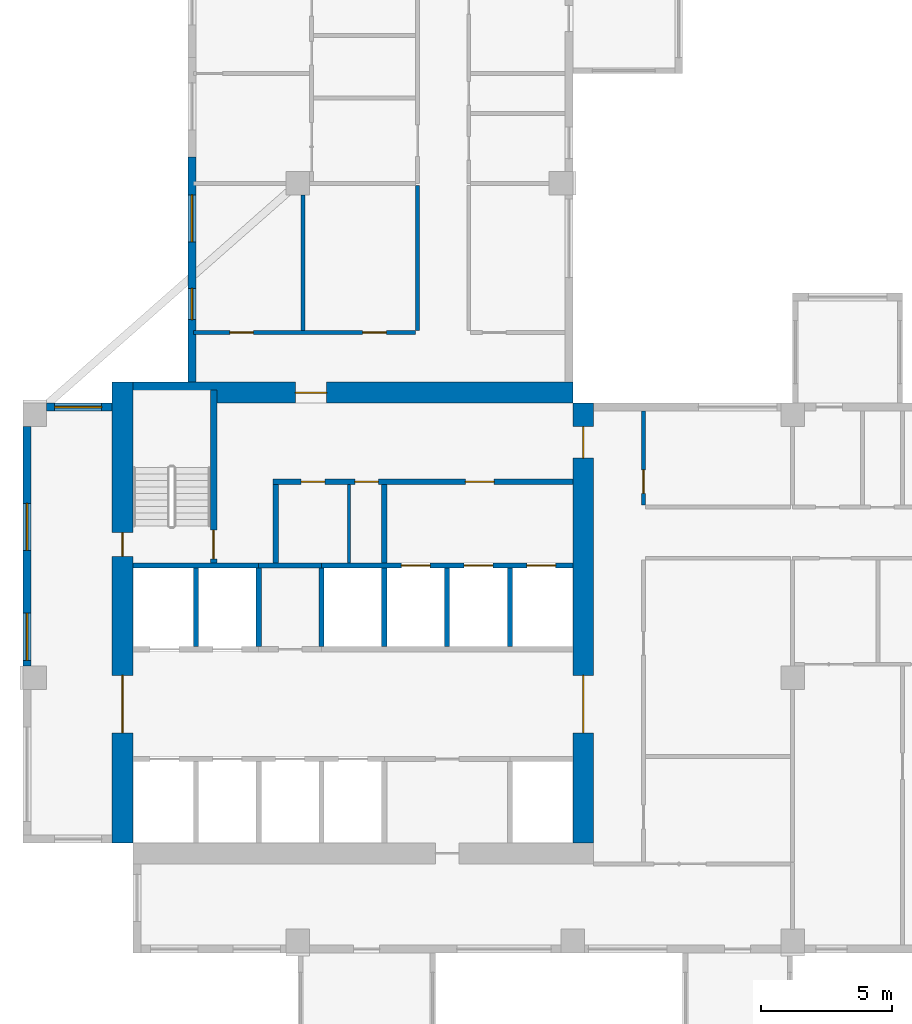
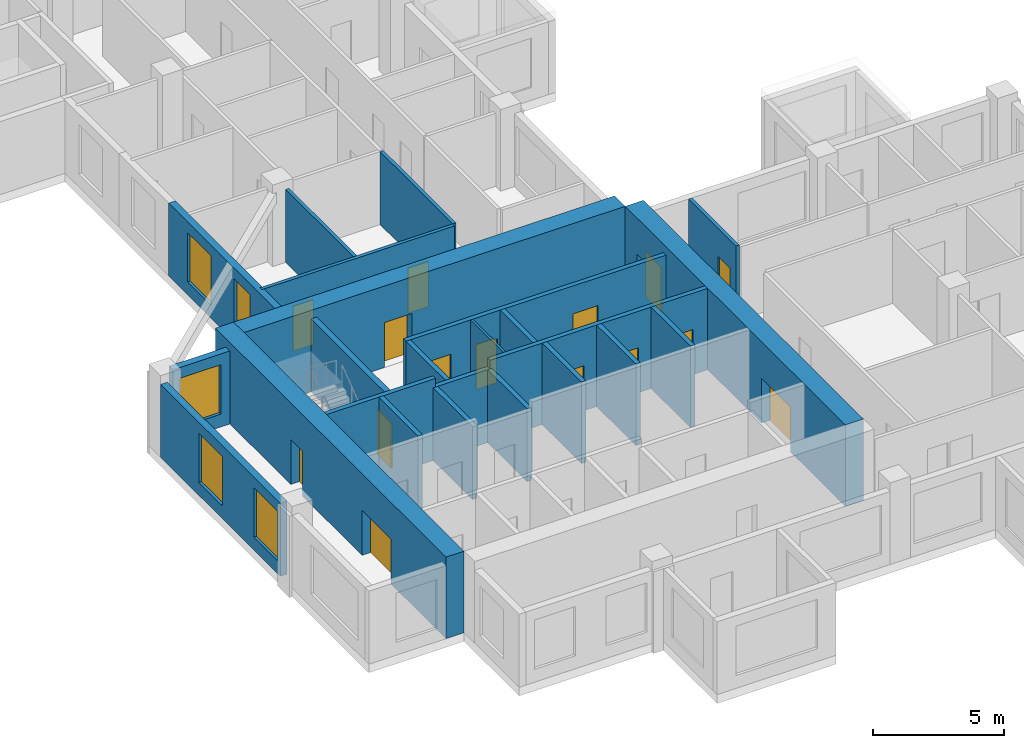
# One storey, part 3 of 12: 24 walls, 15 doors, 5 windows, 20 openings.
"""IFC4 building model written with IfcOpenShell, lengths in metres."""

import ifcopenshell
import ifcopenshell.guid

model = None  # the IFC model being written
_history = None  # IfcOwnerHistory: only IFC2X3 demands one
_inside = {}  # id of a spatial element -> (the spatial element, [elements in it])
_under = {}  # id of a project, library or spatial element -> (it, [spatial elements below it])
_declared = {}  # id of a project -> (the project, [libraries it declares])
_typed = {}  # id of a type object -> (the type object, [elements of that type])
_made_of = {}  # id of a material, layer set ... -> (it, [elements and type objects made of it])


def new_model(schema):
    """Start an empty IFC model of exactly this schema.

    Asked for "IFC4X3", IfcOpenShell would pick the latest addendum, in which some entities
    have other attributes; the version numbers below select the first issue.
    IFC2X3 requires an IfcOwnerHistory on every rooted entity: one is made here for all.
    """
    global model, _history
    if schema == "IFC4X3":
        model = ifcopenshell.file(schema_version=(4, 3, 0, 0))
    else:
        model = ifcopenshell.file(schema=schema)
    _inside.clear()
    _under.clear()
    _declared.clear()
    _typed.clear()
    _made_of.clear()
    _history = None
    if model.schema == "IFC2X3":
        org = make("IfcOrganization", Name="unknown")
        user = make(
            "IfcPersonAndOrganization",
            ThePerson=make("IfcPerson", FamilyName="unknown"),
            TheOrganization=org,
        )
        app = make(
            "IfcApplication",
            ApplicationDeveloper=org,
            Version="unknown",
            ApplicationFullName="unknown",
            ApplicationIdentifier="unknown",
        )
        _history = make(
            "IfcOwnerHistory",
            OwningUser=user,
            OwningApplication=app,
            ChangeAction="ADDED",
            CreationDate=0,
        )
    return model


def make(cls, **values):
    """One entity of the class cls with the attributes given. An attribute that is None is left unset."""
    return model.create_entity(
        cls, **{name: value for name, value in values.items() if value is not None}
    )


def rooted(cls, **values):
    """An entity with a GlobalId (a new one), such as an element, a storey or a relation."""
    return make(cls, GlobalId=ifcopenshell.guid.new(), OwnerHistory=_history, **values)


def si_unit(unit_type, name, prefix=None):
    """IfcSIUnit, for example si_unit("LENGTHUNIT", "METRE", prefix="MILLI")."""
    return make("IfcSIUnit", UnitType=unit_type, Prefix=prefix, Name=name)


def assignment(units):
    """IfcUnitAssignment: the units of a project."""
    return None if units is None else make("IfcUnitAssignment", Units=units)


def point(xyz):
    """IfcCartesianPoint."""
    return None if xyz is None else make("IfcCartesianPoint", Coordinates=xyz)


def direction(xyz):
    """IfcDirection."""
    return None if xyz is None else make("IfcDirection", DirectionRatios=xyz)


def frame(location, z_axis=None, x_axis=None):
    """IfcAxis2Placement3D, a coordinate frame: its origin and axes. An axis left out is left unset."""
    return make(
        "IfcAxis2Placement3D",
        Location=point(location),
        Axis=direction(z_axis),
        RefDirection=direction(x_axis),
    )


def frame_2d(location, x_axis=None):
    """IfcAxis2Placement2D, a coordinate frame in the plane: its origin and x axis."""
    return make(
        "IfcAxis2Placement2D", Location=point(location), RefDirection=direction(x_axis)
    )


def origin():
    """The frame at (0, 0, 0) with its axes left unset."""
    return frame((0.0, 0.0, 0.0))


def place(relative_to, where):
    """IfcLocalPlacement: puts the frame where relative to a parent placement (None: the world)."""
    return make(
        "IfcLocalPlacement", PlacementRelTo=relative_to, RelativePlacement=where
    )


def context(
    kind, dimensions, precision=None, world=None, true_north=None, identifier=None
):
    """IfcGeometricRepresentationContext, for example the 3D "Model" context."""
    return make(
        "IfcGeometricRepresentationContext",
        ContextIdentifier=identifier,
        ContextType=kind,
        CoordinateSpaceDimension=dimensions,
        Precision=precision,
        WorldCoordinateSystem=world,
        TrueNorth=true_north,
    )


def subcontext(parent, identifier, kind, view, scale=None):
    """IfcGeometricRepresentationSubContext, for example "Body" below "Model"."""
    return make(
        "IfcGeometricRepresentationSubContext",
        ContextIdentifier=identifier,
        ContextType=kind,
        ParentContext=parent,
        TargetScale=scale,
        TargetView=view,
    )


def project(units=None, contexts=None):
    """IfcProject with its units and contexts."""
    return rooted(
        "IfcProject",
        Name="project",
        RepresentationContexts=contexts,
        UnitsInContext=assignment(units),
    )


def spatial(cls, under=None, at=None, **own):
    """A site, building, storey or space (cls), placed at a placement, below another one or the project."""
    s = rooted(cls, ObjectPlacement=at, **own)
    if under is not None:
        _under.setdefault(under.id(), (under, []))[1].append(s)
    return s


def profile(cls, at=None, kind="AREA", **sizes):
    """A parametric profile (cls). Its sizes go by their IFC names, for example OverallWidth=200.0."""
    return make(cls, ProfileType=kind, Position=at, **sizes)


def rectangle(**sizes):
    """IfcRectangleProfileDef."""
    return profile("IfcRectangleProfileDef", **sizes)


def extrude(swept, where, along, depth):
    """IfcExtrudedAreaSolid: the profile swept, set in the frame where, extruded along a direction by depth."""
    return make(
        "IfcExtrudedAreaSolid",
        SweptArea=swept,
        Position=where,
        ExtrudedDirection=direction(along),
        Depth=depth,
    )


def shape(context_of_items, identifier, shape_type, items):
    """IfcShapeRepresentation: the items that make up one representation, for example the "Body"."""
    return make(
        "IfcShapeRepresentation",
        ContextOfItems=context_of_items,
        RepresentationIdentifier=identifier,
        RepresentationType=shape_type,
        Items=items,
    )


def source(mapping_origin, context_of_items, identifier, shape_type, items):
    """IfcRepresentationMap: a shape defined once, which mapped items show again and again."""
    return make(
        "IfcRepresentationMap",
        MappingOrigin=mapping_origin,
        MappedRepresentation=shape(context_of_items, identifier, shape_type, items),
    )


def transform(
    local_origin,
    x_axis=None,
    y_axis=None,
    z_axis=None,
    scale=None,
    scale2=None,
    scale3=None,
    uniform=True,
):
    """IfcCartesianTransformationOperator3D, or its non-uniform kind. x_axis, y_axis, z_axis: its Axis1, 2, 3."""
    if uniform:
        return make(
            "IfcCartesianTransformationOperator3D",
            Axis1=direction(x_axis),
            Axis2=direction(y_axis),
            LocalOrigin=point(local_origin),
            Scale=scale,
            Axis3=direction(z_axis),
        )
    return make(
        "IfcCartesianTransformationOperator3DnonUniform",
        Axis1=direction(x_axis),
        Axis2=direction(y_axis),
        LocalOrigin=point(local_origin),
        Scale=scale,
        Axis3=direction(z_axis),
        Scale2=scale2,
        Scale3=scale3,
    )


def mapped(mapping_source, mapping_target):
    """IfcMappedItem: shows the shape of a source again, moved by a transform."""
    return make(
        "IfcMappedItem", MappingSource=mapping_source, MappingTarget=mapping_target
    )


def material(Name=None, Category=None):
    """IfcMaterial."""
    return make("IfcMaterial", Name=Name, Category=Category)


def layer(
    of_material, thickness, ventilated=None, Name=None, Category=None, Priority=None
):
    """IfcMaterialLayer: one layer of a wall or slab, of a material (None: an air gap)."""
    return make(
        "IfcMaterialLayer",
        Material=of_material,
        LayerThickness=thickness,
        IsVentilated=ventilated,
        Name=Name,
        Category=Category,
        Priority=Priority,
    )


def layer_set(layers, Name=None):
    """IfcMaterialLayerSet."""
    return make("IfcMaterialLayerSet", MaterialLayers=layers, LayerSetName=Name)


def made_of(thing, what):
    """Note that an element or type object is made of a material, layer set ...; save() writes the relation."""
    if what is not None:
        _made_of.setdefault(what.id(), (what, []))[1].append(thing)
    return thing


def type_object(cls, material=None, **own):
    """A type object (cls), such as IfcWallType, which elements share."""
    return made_of(rooted(cls, **own), material)


def element(
    cls,
    number,
    at=None,
    inside=None,
    cuts=None,
    type_object=None,
    material=None,
    context=None,
    identifier="Body",
    shape_type=None,
    held_by="IfcProductDefinitionShape",
    body=None,
    shapes=None,
    **own,
):
    """One element of the class cls, such as IfcWall. Its Tag is "e" and its number.

    at: its placement. inside: the storey or other place that contains it. cuts: it is an
    opening in that element (IfcRelVoidsElement). A single representation is given by context,
    identifier, shape_type and body (its items); several are given by shapes. held_by: the class
    of the entity that holds the representations. save() writes the other relations.
    """
    e = rooted(cls, Tag="e%d" % number, ObjectPlacement=at, **own)
    if body is not None:
        shapes = [shape(context, identifier, shape_type, body)]
    if shapes is not None:
        e.Representation = make(held_by, Representations=shapes)
    if inside is not None:
        _inside.setdefault(inside.id(), (inside, []))[1].append(e)
    if cuts is not None:
        rooted(
            "IfcRelVoidsElement", RelatingBuildingElement=cuts, RelatedOpeningElement=e
        )
    if type_object is not None:
        _typed.setdefault(type_object.id(), (type_object, []))[1].append(e)
    return made_of(e, material)


def fill(opening, filler):
    """IfcRelFillsElement: the door or window that sits in an opening."""
    return rooted(
        "IfcRelFillsElement",
        RelatingOpeningElement=opening,
        RelatedBuildingElement=filler,
    )


def aggregate(whole, parts):
    """IfcRelAggregates: a whole, such as a stair, and the parts it consists of."""
    return rooted("IfcRelAggregates", RelatingObject=whole, RelatedObjects=parts)


def save(model, path):
    """Write the relations noted so far, then the file.

    IfcRelAggregates (storeys below a building ...), IfcRelContainedInSpatialStructure (elements
    in a storey), IfcRelDefinesByType, IfcRelAssociatesMaterial and IfcRelDeclares: one each for
    every whole, place, type object, material and project.
    """
    for whole, parts in _under.values():
        aggregate(whole, parts)
    for where, things in _inside.values():
        rooted(
            "IfcRelContainedInSpatialStructure",
            RelatedElements=things,
            RelatingStructure=where,
        )
    for kind, things in _typed.values():
        rooted("IfcRelDefinesByType", RelatedObjects=things, RelatingType=kind)
    for what, things in _made_of.values():
        rooted("IfcRelAssociatesMaterial", RelatedObjects=things, RelatingMaterial=what)
    for by, libraries in _declared.values():
        rooted("IfcRelDeclares", RelatingContext=by, RelatedDefinitions=libraries)
    model.write(path)


model = new_model("IFC4")

# Units and contexts
model_context = context("Model", 3, precision=1e-05, world=origin(), true_north=direction((0.0, 1.0)))
body_context = subcontext(model_context, "Body", "Model", "MODEL_VIEW")
ifc_project = project(units=[si_unit("LENGTHUNIT", "METRE"), si_unit("AREAUNIT", "SQUARE_METRE"), si_unit("VOLUMEUNIT", "CUBIC_METRE"), si_unit("PLANEANGLEUNIT", "RADIAN"), si_unit("MASSUNIT", "GRAM", prefix="KILO")], contexts=[model_context])

# Site, building, storey
site_placement = place(None, origin())
site = spatial("IfcSite", under=ifc_project, at=site_placement, CompositionType="ELEMENT")
building_placement = place(site_placement, origin())
building = spatial("IfcBuilding", under=site, at=building_placement, Name="Aurelian Terraces", CompositionType="ELEMENT")
storey_placement = place(building_placement, frame((0.0, 0.0, 181.6)))
storey = spatial("IfcBuildingStorey", under=building, at=storey_placement, Name="L39", CompositionType="ELEMENT", Elevation=181.6)

# Wall, openings, windows
ifc_material_1 = material(Name="Terracotta rainscreen cladding", Category="masonry")
ifc_layer_1 = layer(ifc_material_1, 0.3)
ifc_layer_set_1 = layer_set([ifc_layer_1], Name="EW-300")
wall_type_1 = type_object("IfcWallType", Name="EW-300", PredefinedType="STANDARD", material=ifc_layer_set_1)
wall_1_placement = place(storey_placement, frame((6.45, 30.4, 0.0), z_axis=(0.0, 0.0, 1.0), x_axis=(0.0, -1.0, 0.0)))
wall_1 = element("IfcWall", 1, at=wall_1_placement, inside=storey, type_object=wall_type_1, Name="External wall L39 F16.30", PredefinedType="STANDARD", context=body_context, shape_type="SweptSolid", body=[
    extrude(rectangle(XDim=8.6, YDim=0.3, at=frame_2d((4.3, 0.0))), origin(), (0.0, 0.0, 1.0), 3.4),
])
shared_shape_1 = source(origin(), body_context, "Body", "SweptSolid", [
    extrude(rectangle(XDim=1.8, YDim=2.3, at=frame_2d((0.9, 1.15))), frame((0.0, 0.16, 0.0), z_axis=(0.0, -1.0, 0.0), x_axis=(1.0, 0.0, 0.0)), (0.0, 0.0, 1.0), 0.32),
])
opening_1_placement = place(wall_1_placement, frame((1.4375, 0.0, 0.6)))
opening_1 = element("IfcOpeningElement", 2, at=opening_1_placement, cuts=wall_1, Name="Opening W1823", PredefinedType="OPENING", context=body_context, shape_type="MappedRepresentation", body=[
    mapped(shared_shape_1, transform((0.0, 0.0, 0.0), scale=1.0)),
])
shared_shape_2 = source(origin(), body_context, "Body", "SweptSolid", [
    extrude(rectangle(XDim=1.2, YDim=2.3, at=frame_2d((0.6, 1.15))), frame((0.0, 0.16, 0.0), z_axis=(0.0, -1.0, 0.0), x_axis=(1.0, 0.0, 0.0)), (0.0, 0.0, 1.0), 0.32),
])
opening_2_placement = place(wall_1_placement, frame((5.0125, 0.0, 0.6)))
opening_2 = element("IfcOpeningElement", 3, at=opening_2_placement, cuts=wall_1, Name="Opening W1223", PredefinedType="OPENING", context=body_context, shape_type="MappedRepresentation", body=[
    mapped(shared_shape_2, transform((0.0, 0.0, 0.0), scale=1.0)),
])
ifc_material_2 = material(Name="Clear glazing", Category="glass")
window_type_1 = type_object("IfcWindowType", Name="W-1200x2300", PartitioningType="SINGLE_PANEL", PredefinedType="WINDOW", material=ifc_material_2)
shared_shape_3 = source(origin(), body_context, "Body", "SweptSolid", [
    extrude(rectangle(XDim=1.2, YDim=2.3, at=frame_2d((0.6, 1.15))), frame((0.0, 0.03, 0.0), z_axis=(0.0, -1.0, 0.0), x_axis=(1.0, 0.0, 0.0)), (0.0, 0.0, 1.0), 0.06),
])
window_1_placement = place(opening_2_placement, origin())
window_1 = element("IfcWindow", 4, at=window_1_placement, inside=storey, type_object=window_type_1, Name="Window L39 L39-F16-30-3", OverallHeight=2.3, OverallWidth=1.2, PartitioningType="SINGLE_PANEL", PredefinedType="WINDOW", context=body_context, shape_type="MappedRepresentation", body=[
    mapped(shared_shape_3, transform((0.0, 0.0, 0.0), scale=1.0)),
])
fill(opening_2, window_1)
window_type_2 = type_object("IfcWindowType", Name="W-1800x2300", PartitioningType="SINGLE_PANEL", PredefinedType="WINDOW", material=ifc_material_2)
shared_shape_4 = source(origin(), body_context, "Body", "SweptSolid", [
    extrude(rectangle(XDim=1.8, YDim=2.3, at=frame_2d((0.9, 1.15))), frame((0.0, 0.03, 0.0), z_axis=(0.0, -1.0, 0.0), x_axis=(1.0, 0.0, 0.0)), (0.0, 0.0, 1.0), 0.06),
])
window_2_placement = place(opening_1_placement, origin())
window_2 = element("IfcWindow", 5, at=window_2_placement, inside=storey, type_object=window_type_2, Name="Window L39 L39-F16-30-2", OverallHeight=2.3, OverallWidth=1.8, PartitioningType="SINGLE_PANEL", PredefinedType="WINDOW", context=body_context, shape_type="MappedRepresentation", body=[
    mapped(shared_shape_4, transform((0.0, 0.0, 0.0), scale=1.0)),
])
fill(opening_1, window_2)

# Wall, openings, doors
ifc_material_3 = material(Name="Concrete fc' 70 MPa", Category="concrete")
ifc_layer_2 = layer(ifc_material_3, 0.8)
ifc_layer_set_2 = layer_set([ifc_layer_2], Name="CORE WALL 800 FC70")
wall_type_2 = type_object("IfcWallType", Name="CORE WALL 800 FC70", PredefinedType="SHEAR", material=ifc_layer_set_2)
shared_shape_5 = source(origin(), body_context, "Body", "SweptSolid", [
    extrude(rectangle(XDim=17.6, YDim=0.8, at=frame_2d((8.8, 0.0))), origin(), (0.0, 0.0, 1.0), 3.8),
])
wall_2_placement = place(storey_placement, frame((3.8, 4.2, 0.0), z_axis=(0.0, 0.0, 1.0), x_axis=(0.0, 1.0, 0.0)))
wall_2 = element("IfcWall", 6, at=wall_2_placement, inside=storey, type_object=wall_type_2, Name="Core wall W L39", PredefinedType="SHEAR", context=body_context, shape_type="MappedRepresentation", body=[
    mapped(shared_shape_5, transform((0.0, 0.0, 0.0), scale=1.0)),
])
shared_shape_6 = source(origin(), body_context, "Body", "SweptSolid", [
    extrude(rectangle(XDim=2.2, YDim=2.1, at=frame_2d((1.1, 1.05))), frame((0.0, 0.41, 0.0), z_axis=(0.0, -1.0, 0.0), x_axis=(1.0, 0.0, 0.0)), (0.0, 0.0, 1.0), 0.82),
])
opening_3_placement = place(wall_2_placement, frame((4.2, 0.0, 0.0)))
opening_3 = element("IfcOpeningElement", 7, at=opening_3_placement, cuts=wall_2, Name="Opening 64222", PredefinedType="OPENING", context=body_context, shape_type="MappedRepresentation", body=[
    mapped(shared_shape_6, transform((0.0, 0.0, 0.0), scale=1.0)),
])
shared_shape_7 = source(origin(), body_context, "Body", "SweptSolid", [
    extrude(rectangle(XDim=0.9, YDim=2.1, at=frame_2d((0.45, 1.05))), frame((0.0, 0.41, 0.0), z_axis=(0.0, -1.0, 0.0), x_axis=(1.0, 0.0, 0.0)), (0.0, 0.0, 1.0), 0.82),
])
opening_4_placement = place(wall_2_placement, frame((10.95, 0.0, 0.0)))
opening_4 = element("IfcOpeningElement", 8, at=opening_4_placement, cuts=wall_2, Name="Opening 64226", PredefinedType="OPENING", context=body_context, shape_type="MappedRepresentation", body=[
    mapped(shared_shape_7, transform((0.0, 0.0, 0.0), scale=1.0)),
])
ifc_material_4 = material(Name="Steel door leaf", Category="steel")
door_type_1 = type_object("IfcDoorType", Name="Core service door 900x2100 right", OperationType="SINGLE_SWING_RIGHT", PredefinedType="DOOR", material=ifc_material_4)
shared_shape_8 = source(origin(), body_context, "Body", "SweptSolid", [
    extrude(rectangle(XDim=0.9, YDim=2.1, at=frame_2d((0.45, 1.05))), frame((0.0, 0.025, 0.0), z_axis=(0.0, -1.0, 0.0), x_axis=(1.0, 0.0, 0.0)), (0.0, 0.0, 1.0), 0.05),
])
door_1_placement = place(opening_4_placement, origin())
door_1 = element("IfcDoor", 9, at=door_1_placement, inside=storey, type_object=door_type_1, Name="Core door 64226", OperationType="SINGLE_SWING_RIGHT", OverallHeight=2.1, OverallWidth=0.9, PredefinedType="DOOR", context=body_context, shape_type="MappedRepresentation", body=[
    mapped(shared_shape_8, transform((0.0, 0.0, 0.0), scale=1.0)),
])
fill(opening_4, door_1)
door_type_2 = type_object("IfcDoorType", Name="Core double door 2200x2100", OperationType="DOUBLE_DOOR_SINGLE_SWING", PredefinedType="DOOR", material=ifc_material_4)
shared_shape_9 = source(origin(), body_context, "Body", "SweptSolid", [
    extrude(rectangle(XDim=2.2, YDim=2.1, at=frame_2d((1.1, 1.05))), frame((0.0, 0.025, 0.0), z_axis=(0.0, -1.0, 0.0), x_axis=(1.0, 0.0, 0.0)), (0.0, 0.0, 1.0), 0.05),
])
door_2_placement = place(opening_3_placement, origin())
door_2 = element("IfcDoor", 10, at=door_2_placement, inside=storey, type_object=door_type_2, Name="Core door 64222", OperationType="DOUBLE_DOOR_SINGLE_SWING", OverallHeight=2.1, OverallWidth=2.2, PredefinedType="DOOR", context=body_context, shape_type="MappedRepresentation", body=[
    mapped(shared_shape_9, transform((0.0, 0.0, 0.0), scale=1.0)),
])
fill(opening_3, door_2)

shared_shape_10 = source(origin(), body_context, "Body", "SweptSolid", [
    extrude(rectangle(XDim=16.8, YDim=0.8, at=frame_2d((8.4, 0.0))), origin(), (0.0, 0.0, 1.0), 3.8),
])
wall_3_placement = place(storey_placement, frame((21.4, 4.2, 0.0), z_axis=(0.0, 0.0, 1.0), x_axis=(0.0, 1.0, 0.0)))
wall_3 = element("IfcWall", 11, at=wall_3_placement, inside=storey, type_object=wall_type_2, Name="Core wall E L39", PredefinedType="SHEAR", context=body_context, shape_type="MappedRepresentation", body=[
    mapped(shared_shape_10, transform((0.0, 0.0, 0.0), scale=1.0)),
])
opening_5_placement = place(wall_3_placement, frame((4.2, 0.0, 0.0)))
opening_5 = element("IfcOpeningElement", 12, at=opening_5_placement, cuts=wall_3, Name="Opening 64221", PredefinedType="OPENING", context=body_context, shape_type="MappedRepresentation", body=[
    mapped(shared_shape_6, transform((0.0, 0.0, 0.0), scale=1.0)),
])
shared_shape_11 = source(origin(), body_context, "Body", "SweptSolid", [
    extrude(rectangle(XDim=1.2, YDim=2.1, at=frame_2d((0.6, 1.05))), frame((0.0, 0.41, 0.0), z_axis=(0.0, -1.0, 0.0), x_axis=(1.0, 0.0, 0.0)), (0.0, 0.0, 1.0), 0.82),
])
opening_6_placement = place(wall_3_placement, frame((14.7, 0.0, 0.0)))
opening_6 = element("IfcOpeningElement", 13, at=opening_6_placement, cuts=wall_3, Name="Opening 64224", PredefinedType="OPENING", context=body_context, shape_type="MappedRepresentation", body=[
    mapped(shared_shape_11, transform((0.0, 0.0, 0.0), scale=1.0)),
])
door_type_3 = type_object("IfcDoorType", Name="Core fire door 1200x2100 right", OperationType="SINGLE_SWING_RIGHT", PredefinedType="DOOR", material=ifc_material_4)
shared_shape_12 = source(origin(), body_context, "Body", "SweptSolid", [
    extrude(rectangle(XDim=1.2, YDim=2.1, at=frame_2d((0.6, 1.05))), frame((0.0, 0.025, 0.0), z_axis=(0.0, -1.0, 0.0), x_axis=(1.0, 0.0, 0.0)), (0.0, 0.0, 1.0), 0.05),
])
door_3_placement = place(opening_6_placement, origin())
door_3 = element("IfcDoor", 14, at=door_3_placement, inside=storey, type_object=door_type_3, Name="Core door 64224", OperationType="SINGLE_SWING_RIGHT", OverallHeight=2.1, OverallWidth=1.2, PredefinedType="DOOR", context=body_context, shape_type="MappedRepresentation", body=[
    mapped(shared_shape_12, transform((0.0, 0.0, 0.0), scale=1.0)),
])
fill(opening_6, door_3)
door_4_placement = place(opening_5_placement, origin())
door_4 = element("IfcDoor", 15, at=door_4_placement, inside=storey, type_object=door_type_2, Name="Core door 64221", OperationType="DOUBLE_DOOR_SINGLE_SWING", OverallHeight=2.1, OverallWidth=2.2, PredefinedType="DOOR", context=body_context, shape_type="MappedRepresentation", body=[
    mapped(shared_shape_9, transform((0.0, 0.0, 0.0), scale=1.0)),
])
fill(opening_5, door_4)

# Wall, opening, door
wall_4_placement = place(storey_placement, frame((4.2, 21.4, 0.0), z_axis=(0.0, 0.0, 1.0), x_axis=(1.0, 0.0, 0.0)))
wall_4 = element("IfcWall", 16, at=wall_4_placement, inside=storey, type_object=wall_type_2, Name="Core wall N L39", PredefinedType="SHEAR", context=body_context, shape_type="MappedRepresentation", body=[
    mapped(shared_shape_10, transform((0.0, 0.0, 0.0), scale=1.0)),
])
opening_7_placement = place(wall_4_placement, frame((6.2, 0.0, 0.0)))
opening_7 = element("IfcOpeningElement", 17, at=opening_7_placement, cuts=wall_4, Name="Opening 64223", PredefinedType="OPENING", context=body_context, shape_type="MappedRepresentation", body=[
    mapped(shared_shape_11, transform((0.0, 0.0, 0.0), scale=1.0)),
])
door_type_4 = type_object("IfcDoorType", Name="Core fire door 1200x2100", OperationType="SINGLE_SWING_LEFT", PredefinedType="DOOR", material=ifc_material_4)
door_5_placement = place(opening_7_placement, origin())
door_5 = element("IfcDoor", 18, at=door_5_placement, inside=storey, type_object=door_type_4, Name="Core door 64223", OperationType="SINGLE_SWING_LEFT", OverallHeight=2.1, OverallWidth=1.2, PredefinedType="DOOR", context=body_context, shape_type="MappedRepresentation", body=[
    mapped(shared_shape_12, transform((0.0, 0.0, 0.0), scale=1.0)),
])
fill(opening_7, door_5)

# Wall, opening, window
shared_shape_13 = source(origin(), body_context, "Body", "SweptSolid", [
    extrude(rectangle(XDim=2.5, YDim=0.3, at=frame_2d((1.25, 0.0))), origin(), (0.0, 0.0, 1.0), 3.4),
])
wall_5_placement = place(storey_placement, frame((3.4, 20.85, 0.0), z_axis=(0.0, 0.0, 1.0), x_axis=(-1.0, 0.0, 0.0)))
wall_5 = element("IfcWall", 19, at=wall_5_placement, inside=storey, type_object=wall_type_1, Name="External wall L39 F19.33", PredefinedType="STANDARD", context=body_context, shape_type="MappedRepresentation", body=[
    mapped(shared_shape_13, transform((0.0, 0.0, 0.0), scale=1.0)),
])
opening_8_placement = place(wall_5_placement, frame((0.4, 0.0, 0.6)))
opening_8 = element("IfcOpeningElement", 20, at=opening_8_placement, cuts=wall_5, Name="Opening W1823", PredefinedType="OPENING", context=body_context, shape_type="MappedRepresentation", body=[
    mapped(shared_shape_1, transform((0.0, 0.0, 0.0), scale=1.0)),
])
window_3_placement = place(opening_8_placement, origin())
window_3 = element("IfcWindow", 21, at=window_3_placement, inside=storey, type_object=window_type_2, Name="Window L39 L39-F19-33-0", OverallHeight=2.3, OverallWidth=1.8, PartitioningType="SINGLE_PANEL", PredefinedType="WINDOW", context=body_context, shape_type="MappedRepresentation", body=[
    mapped(shared_shape_4, transform((0.0, 0.0, 0.0), scale=1.0)),
])
fill(opening_8, window_3)

# Wall, openings, windows
shared_shape_14 = source(origin(), body_context, "Body", "SweptSolid", [
    extrude(rectangle(XDim=9.15, YDim=0.3, at=frame_2d((4.575, 0.0))), origin(), (0.0, 0.0, 1.0), 3.4),
])
wall_6_placement = place(storey_placement, frame((0.15, 20.1, 0.0), z_axis=(0.0, 0.0, 1.0), x_axis=(0.0, -1.0, 0.0)))
wall_6 = element("IfcWall", 22, at=wall_6_placement, inside=storey, type_object=wall_type_1, Name="External wall L39 F20.34", PredefinedType="STANDARD", context=body_context, shape_type="MappedRepresentation", body=[
    mapped(shared_shape_14, transform((0.0, 0.0, 0.0), scale=1.0)),
])
opening_9_placement = place(wall_6_placement, frame((2.925, 0.0, 0.6)))
opening_9 = element("IfcOpeningElement", 23, at=opening_9_placement, cuts=wall_6, Name="Opening W1823", PredefinedType="OPENING", context=body_context, shape_type="MappedRepresentation", body=[
    mapped(shared_shape_1, transform((0.0, 0.0, 0.0), scale=1.0)),
])
opening_10_placement = place(wall_6_placement, frame((7.125, 0.0, 0.6)))
opening_10 = element("IfcOpeningElement", 24, at=opening_10_placement, cuts=wall_6, Name="Opening W1823", PredefinedType="OPENING", context=body_context, shape_type="MappedRepresentation", body=[
    mapped(shared_shape_1, transform((0.0, 0.0, 0.0), scale=1.0)),
])
window_4_placement = place(opening_9_placement, origin())
window_4 = element("IfcWindow", 25, at=window_4_placement, inside=storey, type_object=window_type_2, Name="Window L39 L39-F20-34-1", OverallHeight=2.3, OverallWidth=1.8, PartitioningType="SINGLE_PANEL", PredefinedType="WINDOW", context=body_context, shape_type="MappedRepresentation", body=[
    mapped(shared_shape_4, transform((0.0, 0.0, 0.0), scale=1.0)),
])
fill(opening_9, window_4)
window_5_placement = place(opening_10_placement, origin())
window_5 = element("IfcWindow", 26, at=window_5_placement, inside=storey, type_object=window_type_2, Name="Window L39 L39-F20-34-2", OverallHeight=2.3, OverallWidth=1.8, PartitioningType="SINGLE_PANEL", PredefinedType="WINDOW", context=body_context, shape_type="MappedRepresentation", body=[
    mapped(shared_shape_4, transform((0.0, 0.0, 0.0), scale=1.0)),
])
fill(opening_10, window_5)

# Walls
ifc_material_5 = material(Name="Concrete fc' 40 MPa", Category="concrete")
ifc_layer_3 = layer(ifc_material_5, 0.2)
ifc_layer_set_3 = layer_set([ifc_layer_3], Name="Lift shaft wall 200")
wall_type_3 = type_object("IfcWallType", Name="Lift shaft wall 200", PredefinedType="SOLIDWALL", material=ifc_layer_set_3)
shared_shape_15 = source(origin(), body_context, "Body", "SweptSolid", [
    extrude(rectangle(XDim=3.0, YDim=0.2, at=frame_2d((1.5, 0.0))), origin(), (0.0, 0.0, 1.0), 3.4),
])
for number, where, z_axis, x_axis, name in (
    (27, (9.0, 11.7, 0.0), (0.0, 0.0, 1.0), (0.0, 1.0, 0.0), "L39 core wall CD-B2"),
    (28, (11.4, 11.7, 0.0), (0.0, 0.0, 1.0), (0.0, 1.0, 0.0), "L39 core wall CD-B3"),
):
    element("IfcWall", number, at=place(storey_placement, frame(where, z_axis=z_axis, x_axis=x_axis)), inside=storey, type_object=wall_type_3, Name=name, PredefinedType="SOLIDWALL", context=body_context, shape_type="MappedRepresentation", body=[
        mapped(shared_shape_15, transform((0.0, 0.0, 0.0), scale=1.0)),
    ])
shared_shape_16 = source(origin(), body_context, "Body", "SweptSolid", [
    extrude(rectangle(XDim=3.0, YDim=0.2, at=frame_2d((1.5, 0.0))), origin(), (0.0, 0.0, 1.0), 3.8),
])
for number, where, z_axis, x_axis, name in (
    (29, (6.6, 11.7, 0.0), (0.0, 0.0, 1.0), (0.0, 1.0, 0.0), "L39 core wall CD-B1"),
    (30, (13.8, 11.7, 0.0), (0.0, 0.0, 1.0), (0.0, 1.0, 0.0), "L39 core wall CD-B4"),
    (31, (16.2, 11.7, 0.0), (0.0, 0.0, 1.0), (0.0, 1.0, 0.0), "L39 core wall CD-B5"),
    (32, (18.6, 11.7, 0.0), (0.0, 0.0, 1.0), (0.0, 1.0, 0.0), "L39 core wall CD-B6"),
):
    element("IfcWall", number, at=place(storey_placement, frame(where, z_axis=z_axis, x_axis=x_axis)), inside=storey, type_object=wall_type_3, Name=name, PredefinedType="SOLIDWALL", context=body_context, shape_type="MappedRepresentation", body=[
        mapped(shared_shape_16, transform((0.0, 0.0, 0.0), scale=1.0)),
    ])

# Wall, openings, doors
shared_shape_17 = source(origin(), body_context, "Body", "SweptSolid", [
    extrude(rectangle(XDim=9.6, YDim=0.2, at=frame_2d((4.8, 0.0))), origin(), (0.0, 0.0, 1.0), 3.8),
])
wall_7_placement = place(storey_placement, frame((11.4, 14.8, 0.0), z_axis=(0.0, 0.0, 1.0), x_axis=(1.0, 0.0, 0.0)))
wall_7 = element("IfcWall", 33, at=wall_7_placement, inside=storey, type_object=wall_type_3, Name="L39 core wall CF-BB3", PredefinedType="SOLIDWALL", context=body_context, shape_type="MappedRepresentation", body=[
    mapped(shared_shape_17, transform((0.0, 0.0, 0.0), scale=1.0)),
])
shared_shape_18 = source(origin(), body_context, "Body", "SweptSolid", [
    extrude(rectangle(XDim=1.1, YDim=2.1, at=frame_2d((0.55, 1.05))), frame((0.0, 0.11, 0.0), z_axis=(0.0, -1.0, 0.0), x_axis=(1.0, 0.0, 0.0)), (0.0, 0.0, 1.0), 0.22),
])
opening_11_placement = place(wall_7_placement, frame((3.05, 0.0, 0.0)))
opening_11 = element("IfcOpeningElement", 34, at=opening_11_placement, cuts=wall_7, Name="Opening 64208", PredefinedType="OPENING", context=body_context, shape_type="MappedRepresentation", body=[
    mapped(shared_shape_18, transform((0.0, 0.0, 0.0), scale=1.0)),
])
opening_12_placement = place(wall_7_placement, frame((5.45, 0.0, 0.0)))
opening_12 = element("IfcOpeningElement", 35, at=opening_12_placement, cuts=wall_7, Name="Opening 64209", PredefinedType="OPENING", context=body_context, shape_type="MappedRepresentation", body=[
    mapped(shared_shape_18, transform((0.0, 0.0, 0.0), scale=1.0)),
])
opening_13_placement = place(wall_7_placement, frame((7.85, 0.0, 0.0)))
opening_13 = element("IfcOpeningElement", 36, at=opening_13_placement, cuts=wall_7, Name="Opening 64210", PredefinedType="OPENING", context=body_context, shape_type="MappedRepresentation", body=[
    mapped(shared_shape_18, transform((0.0, 0.0, 0.0), scale=1.0)),
])
ifc_material_6 = material(Name="Stainless steel", Category="steel")
door_type_5 = type_object("IfcDoorType", Name="Lift landing door 1100x2100", OperationType="SLIDING_TO_LEFT", PredefinedType="DOOR", material=ifc_material_6)
shared_shape_19 = source(origin(), body_context, "Body", "SweptSolid", [
    extrude(rectangle(XDim=1.1, YDim=2.1, at=frame_2d((0.55, 1.05))), frame((0.0, 0.025, 0.0), z_axis=(0.0, -1.0, 0.0), x_axis=(1.0, 0.0, 0.0)), (0.0, 0.0, 1.0), 0.05),
])
door_6_placement = place(opening_11_placement, origin())
door_6 = element("IfcDoor", 37, at=door_6_placement, inside=storey, type_object=door_type_5, Name="Lift landing door F1 L39", OperationType="SLIDING_TO_LEFT", OverallHeight=2.1, OverallWidth=1.1, PredefinedType="DOOR", context=body_context, shape_type="MappedRepresentation", body=[
    mapped(shared_shape_19, transform((0.0, 0.0, 0.0), scale=1.0)),
])
fill(opening_11, door_6)
door_7_placement = place(opening_12_placement, origin())
door_7 = element("IfcDoor", 38, at=door_7_placement, inside=storey, type_object=door_type_5, Name="Lift landing door F2 L39", OperationType="SLIDING_TO_LEFT", OverallHeight=2.1, OverallWidth=1.1, PredefinedType="DOOR", context=body_context, shape_type="MappedRepresentation", body=[
    mapped(shared_shape_19, transform((0.0, 0.0, 0.0), scale=1.0)),
])
fill(opening_12, door_7)
door_8_placement = place(opening_13_placement, origin())
door_8 = element("IfcDoor", 39, at=door_8_placement, inside=storey, type_object=door_type_5, Name="Lift landing door F3 L39", OperationType="SLIDING_TO_LEFT", OverallHeight=2.1, OverallWidth=1.1, PredefinedType="DOOR", context=body_context, shape_type="MappedRepresentation", body=[
    mapped(shared_shape_19, transform((0.0, 0.0, 0.0), scale=1.0)),
])
fill(opening_13, door_8)

# Walls
shared_shape_20 = source(origin(), body_context, "Body", "SweptSolid", [
    extrude(rectangle(XDim=4.8, YDim=0.2, at=frame_2d((2.4, 0.0))), origin(), (0.0, 0.0, 1.0), 3.8),
])
wall_8_placement = place(storey_placement, frame((4.2, 14.8, 0.0), z_axis=(0.0, 0.0, 1.0), x_axis=(1.0, 0.0, 0.0)))
element("IfcWall", 40, at=wall_8_placement, inside=storey, type_object=wall_type_3, Name="L39 core wall CF-BB1", PredefinedType="SOLIDWALL", context=body_context, shape_type="MappedRepresentation", body=[
    mapped(shared_shape_20, transform((0.0, 0.0, 0.0), scale=1.0)),
])
shared_shape_21 = source(origin(), body_context, "Body", "SweptSolid", [
    extrude(rectangle(XDim=2.4, YDim=0.2, at=frame_2d((1.2, 0.0))), origin(), (0.0, 0.0, 1.0), 3.4),
])
wall_9_placement = place(storey_placement, frame((9.0, 14.8, 0.0), z_axis=(0.0, 0.0, 1.0), x_axis=(1.0, 0.0, 0.0)))
element("IfcWall", 41, at=wall_9_placement, inside=storey, type_object=wall_type_3, Name="L39 core wall CF-BB2", PredefinedType="SOLIDWALL", context=body_context, shape_type="MappedRepresentation", body=[
    mapped(shared_shape_21, transform((0.0, 0.0, 0.0), scale=1.0)),
])
ifc_material_7 = material(Name="Gypsum board on steel studs", Category="steel")
ifc_layer_4 = layer(ifc_material_7, 0.2)
ifc_layer_set_4 = layer_set([ifc_layer_4], Name="Core partition 200")
wall_type_4 = type_object("IfcWallType", Name="Core partition 200", PredefinedType="PARTITIONING", material=ifc_layer_set_4)
shared_shape_22 = source(origin(), body_context, "Body", "SweptSolid", [
    extrude(rectangle(XDim=3.0, YDim=0.2, at=frame_2d((1.5, 0.0))), origin(), (0.0, 0.0, 1.0), 3.4),
])
for number, where, z_axis, x_axis, name in (
    (42, (9.65, 14.9, 0.0), (0.0, 0.0, 1.0), (0.0, 1.0, 0.0), "L39 core wall CP-VEST"),
    (43, (13.8, 14.9, 0.0), (0.0, 0.0, 1.0), (0.0, 1.0, 0.0), "L39 core wall CP-FFL"),
):
    element("IfcWall", number, at=place(storey_placement, frame(where, z_axis=z_axis, x_axis=x_axis)), inside=storey, type_object=wall_type_4, Name=name, PredefinedType="PARTITIONING", context=body_context, shape_type="MappedRepresentation", body=[
        mapped(shared_shape_22, transform((0.0, 0.0, 0.0), scale=1.0)),
    ])
ifc_layer_5 = layer(ifc_material_7, 0.1)
ifc_layer_set_5 = layer_set([ifc_layer_5], Name="Core partition 100")
wall_type_5 = type_object("IfcWallType", Name="Core partition 100", PredefinedType="PARTITIONING", material=ifc_layer_set_5)
shared_shape_23 = source(origin(), body_context, "Body", "SweptSolid", [
    extrude(rectangle(XDim=3.0, YDim=0.1, at=frame_2d((1.5, 0.0))), origin(), (0.0, 0.0, 1.0), 3.4),
])
wall_10_placement = place(storey_placement, frame((12.45, 14.9, 0.0), z_axis=(0.0, 0.0, 1.0), x_axis=(0.0, 1.0, 0.0)))
element("IfcWall", 44, at=wall_10_placement, inside=storey, type_object=wall_type_5, Name="L39 core wall CP-SV1", PredefinedType="PARTITIONING", context=body_context, shape_type="MappedRepresentation", body=[
    mapped(shared_shape_23, transform((0.0, 0.0, 0.0), scale=1.0)),
])

# Wall, opening, door
ifc_layer_6 = layer(ifc_material_5, 0.25)
ifc_layer_set_6 = layer_set([ifc_layer_6], Name="Stair enclosure wall 250")
wall_type_6 = type_object("IfcWallType", Name="Stair enclosure wall 250", PredefinedType="SOLIDWALL", material=ifc_layer_set_6)
shared_shape_24 = source(origin(), body_context, "Body", "SweptSolid", [
    extrude(rectangle(XDim=6.6, YDim=0.25, at=frame_2d((3.3, 0.0))), origin(), (0.0, 0.0, 1.0), 3.4),
])
wall_11_placement = place(storey_placement, frame((7.275, 14.9, 0.0), z_axis=(0.0, 0.0, 1.0), x_axis=(0.0, 1.0, 0.0)))
wall_11 = element("IfcWall", 45, at=wall_11_placement, inside=storey, type_object=wall_type_6, Name="L39 core wall ST-S1-E", PredefinedType="SOLIDWALL", context=body_context, shape_type="MappedRepresentation", body=[
    mapped(shared_shape_24, transform((0.0, 0.0, 0.0), scale=1.0)),
])
shared_shape_25 = source(origin(), body_context, "Body", "SweptSolid", [
    extrude(rectangle(XDim=1.1, YDim=2.1, at=frame_2d((0.55, 1.05))), frame((0.0, 0.135, 0.0), z_axis=(0.0, -1.0, 0.0), x_axis=(1.0, 0.0, 0.0)), (0.0, 0.0, 1.0), 0.27),
])
opening_14_placement = place(wall_11_placement, frame((0.15, 0.0, 0.0)))
opening_14 = element("IfcOpeningElement", 46, at=opening_14_placement, cuts=wall_11, Name="Opening 64211", PredefinedType="OPENING", context=body_context, shape_type="MappedRepresentation", body=[
    mapped(shared_shape_25, transform((0.0, 0.0, 0.0), scale=1.0)),
])
door_type_6 = type_object("IfcDoorType", Name="Core fire door 1100x2100 right", OperationType="SINGLE_SWING_RIGHT", PredefinedType="DOOR", material=ifc_material_4)
door_9_placement = place(opening_14_placement, origin())
door_9 = element("IfcDoor", 47, at=door_9_placement, inside=storey, type_object=door_type_6, Name="Stair door 64211", OperationType="SINGLE_SWING_RIGHT", OverallHeight=2.1, OverallWidth=1.1, PredefinedType="DOOR", context=body_context, shape_type="MappedRepresentation", body=[
    mapped(shared_shape_19, transform((0.0, 0.0, 0.0), scale=1.0)),
])
fill(opening_14, door_9)

# Wall, openings, doors
shared_shape_26 = source(origin(), body_context, "Body", "SweptSolid", [
    extrude(rectangle(XDim=11.45, YDim=0.2, at=frame_2d((5.725, 0.0))), origin(), (0.0, 0.0, 1.0), 3.4),
])
wall_12_placement = place(storey_placement, frame((9.55, 18.0, 0.0), z_axis=(0.0, 0.0, 1.0), x_axis=(1.0, 0.0, 0.0)))
wall_12 = element("IfcWall", 48, at=wall_12_placement, inside=storey, type_object=wall_type_4, Name="L39 core wall CP-NORTH", PredefinedType="PARTITIONING", context=body_context, shape_type="MappedRepresentation", body=[
    mapped(shared_shape_26, transform((0.0, 0.0, 0.0), scale=1.0)),
])
shared_shape_27 = source(origin(), body_context, "Body", "SweptSolid", [
    extrude(rectangle(XDim=0.9, YDim=2.1, at=frame_2d((0.45, 1.05))), frame((0.0, 0.11, 0.0), z_axis=(0.0, -1.0, 0.0), x_axis=(1.0, 0.0, 0.0)), (0.0, 0.0, 1.0), 0.22),
])
opening_15_placement = place(wall_12_placement, frame((1.075, 0.0, 0.0)))
opening_15 = element("IfcOpeningElement", 49, at=opening_15_placement, cuts=wall_12, Name="Opening 64212", PredefinedType="OPENING", context=body_context, shape_type="MappedRepresentation", body=[
    mapped(shared_shape_27, transform((0.0, 0.0, 0.0), scale=1.0)),
])
opening_16_placement = place(wall_12_placement, frame((3.125, 0.0, 0.0)))
opening_16 = element("IfcOpeningElement", 50, at=opening_16_placement, cuts=wall_12, Name="Opening 64213", PredefinedType="OPENING", context=body_context, shape_type="MappedRepresentation", body=[
    mapped(shared_shape_27, transform((0.0, 0.0, 0.0), scale=1.0)),
])
opening_17_placement = place(wall_12_placement, frame((7.35, 0.0, 0.0)))
opening_17 = element("IfcOpeningElement", 51, at=opening_17_placement, cuts=wall_12, Name="Opening 64214", PredefinedType="OPENING", context=body_context, shape_type="MappedRepresentation", body=[
    mapped(shared_shape_18, transform((0.0, 0.0, 0.0), scale=1.0)),
])
door_type_7 = type_object("IfcDoorType", Name="Core service door 900x2100", OperationType="SINGLE_SWING_LEFT", PredefinedType="DOOR", material=ifc_material_4)
door_10_placement = place(opening_15_placement, origin())
door_10 = element("IfcDoor", 52, at=door_10_placement, inside=storey, type_object=door_type_7, Name="Room door 64212", OperationType="SINGLE_SWING_LEFT", OverallHeight=2.1, OverallWidth=0.9, PredefinedType="DOOR", context=body_context, shape_type="MappedRepresentation", body=[
    mapped(shared_shape_8, transform((0.0, 0.0, 0.0), scale=1.0)),
])
fill(opening_15, door_10)
door_type_8 = type_object("IfcDoorType", Name="Core riser door 900x2100 right", OperationType="SINGLE_SWING_RIGHT", PredefinedType="DOOR", material=ifc_material_4)
door_11_placement = place(opening_16_placement, origin())
door_11 = element("IfcDoor", 53, at=door_11_placement, inside=storey, type_object=door_type_8, Name="Room door 64213", OperationType="SINGLE_SWING_RIGHT", OverallHeight=2.1, OverallWidth=0.9, PredefinedType="DOOR", context=body_context, shape_type="MappedRepresentation", body=[
    mapped(shared_shape_8, transform((0.0, 0.0, 0.0), scale=1.0)),
])
fill(opening_16, door_11)
door_type_9 = type_object("IfcDoorType", Name="Core fire door 1100x2100", OperationType="SINGLE_SWING_LEFT", PredefinedType="DOOR", material=ifc_material_4)
door_12_placement = place(opening_17_placement, origin())
door_12 = element("IfcDoor", 54, at=door_12_placement, inside=storey, type_object=door_type_9, Name="Ff lobby door 64214", OperationType="SINGLE_SWING_LEFT", OverallHeight=2.1, OverallWidth=1.1, PredefinedType="DOOR", context=body_context, shape_type="MappedRepresentation", body=[
    mapped(shared_shape_19, transform((0.0, 0.0, 0.0), scale=1.0)),
])
fill(opening_17, door_12)

# Wall
ifc_layer_7 = layer(ifc_material_7, 0.15)
ifc_layer_set_7 = layer_set([ifc_layer_7], Name="Fire partition 150")
wall_type_7 = type_object("IfcWallType", Name="Fire partition 150", PredefinedType="PARTITIONING", material=ifc_layer_set_7)
shared_shape_28 = source(origin(), body_context, "Body", "SweptSolid", [
    extrude(rectangle(XDim=5.55, YDim=0.15, at=frame_2d((2.775, 0.0))), origin(), (0.0, 0.0, 1.0), 3.4),
])
wall_13_placement = place(storey_placement, frame((15.075, 23.775, 0.0), z_axis=(0.0, 0.0, 1.0), x_axis=(0.0, 1.0, 0.0)))
element("IfcWall", 55, at=wall_13_placement, inside=storey, type_object=wall_type_7, Name="Corridor wall", PredefinedType="PARTITIONING", context=body_context, shape_type="MappedRepresentation", body=[
    mapped(shared_shape_28, transform((0.0, 0.0, 0.0), scale=1.0)),
])

# Wall, opening, door
ifc_layer_8 = layer(ifc_material_7, 0.15)
ifc_layer_set_8 = layer_set([ifc_layer_8], Name="Partition 150")
wall_type_8 = type_object("IfcWallType", Name="Partition 150", PredefinedType="PARTITIONING", material=ifc_layer_set_8)
shared_shape_29 = source(origin(), body_context, "Body", "SweptSolid", [
    extrude(rectangle(XDim=3.6, YDim=0.15, at=frame_2d((1.8, 0.0))), origin(), (0.0, 0.0, 1.0), 3.4),
])
wall_14_placement = place(storey_placement, frame((23.7, 20.7, 0.0), z_axis=(0.0, 0.0, 1.0), x_axis=(0.0, -1.0, 0.0)))
wall_14 = element("IfcWall", 56, at=wall_14_placement, inside=storey, type_object=wall_type_8, Name="Partition", PredefinedType="PARTITIONING", context=body_context, shape_type="MappedRepresentation", body=[
    mapped(shared_shape_29, transform((0.0, 0.0, 0.0), scale=1.0)),
])
shared_shape_30 = source(origin(), body_context, "Body", "SweptSolid", [
    extrude(rectangle(XDim=0.9, YDim=2.1, at=frame_2d((0.45, 1.05))), frame((0.0, 0.085, 0.0), z_axis=(0.0, -1.0, 0.0), x_axis=(1.0, 0.0, 0.0)), (0.0, 0.0, 1.0), 0.17),
])
opening_18_placement = place(wall_14_placement, frame((2.25, 0.0, 0.0)))
opening_18 = element("IfcOpeningElement", 57, at=opening_18_placement, cuts=wall_14, Name="Opening 739003", PredefinedType="OPENING", context=body_context, shape_type="MappedRepresentation", body=[
    mapped(shared_shape_30, transform((0.0, 0.0, 0.0), scale=1.0)),
])
ifc_material_8 = material(Name="Timber door leaf", Category="wood")
door_type_10 = type_object("IfcDoorType", Name="Room door 900x2100 right", OperationType="SINGLE_SWING_RIGHT", PredefinedType="DOOR", material=ifc_material_8)
door_13_placement = place(opening_18_placement, origin())
door_13 = element("IfcDoor", 58, at=door_13_placement, inside=storey, type_object=door_type_10, Name="Door 739003", OperationType="SINGLE_SWING_RIGHT", OverallHeight=2.1, OverallWidth=0.9, PredefinedType="DOOR", context=body_context, shape_type="MappedRepresentation", body=[
    mapped(shared_shape_8, transform((0.0, 0.0, 0.0), scale=1.0)),
])
fill(opening_18, door_13)

# Wall, openings, doors
shared_shape_31 = source(origin(), body_context, "Body", "SweptSolid", [
    extrude(rectangle(XDim=8.495, YDim=0.15, at=frame_2d((4.2475, 0.0))), origin(), (0.0, 0.0, 1.0), 3.4),
])
wall_15_placement = place(storey_placement, frame((6.505, 23.7, 0.0), z_axis=(0.0, 0.0, 1.0), x_axis=(1.0, 0.0, 0.0)))
wall_15 = element("IfcWall", 59, at=wall_15_placement, inside=storey, type_object=wall_type_8, Name="Partition", PredefinedType="PARTITIONING", context=body_context, shape_type="MappedRepresentation", body=[
    mapped(shared_shape_31, transform((0.0, 0.0, 0.0), scale=1.0)),
])
opening_19_placement = place(wall_15_placement, frame((1.395, 0.0, 0.0)))
opening_19 = element("IfcOpeningElement", 60, at=opening_19_placement, cuts=wall_15, Name="Opening 739022", PredefinedType="OPENING", context=body_context, shape_type="MappedRepresentation", body=[
    mapped(shared_shape_30, transform((0.0, 0.0, 0.0), scale=1.0)),
])
opening_20_placement = place(wall_15_placement, frame((6.47, 0.0, 0.0)))
opening_20 = element("IfcOpeningElement", 61, at=opening_20_placement, cuts=wall_15, Name="Opening 739023", PredefinedType="OPENING", context=body_context, shape_type="MappedRepresentation", body=[
    mapped(shared_shape_30, transform((0.0, 0.0, 0.0), scale=1.0)),
])
door_14_placement = place(opening_19_placement, origin())
door_14 = element("IfcDoor", 62, at=door_14_placement, inside=storey, type_object=door_type_10, Name="Door 739022", OperationType="SINGLE_SWING_RIGHT", OverallHeight=2.1, OverallWidth=0.9, PredefinedType="DOOR", context=body_context, shape_type="MappedRepresentation", body=[
    mapped(shared_shape_8, transform((0.0, 0.0, 0.0), scale=1.0)),
])
fill(opening_19, door_14)
door_type_11 = type_object("IfcDoorType", Name="Room door 900x2100 left", OperationType="SINGLE_SWING_LEFT", PredefinedType="DOOR", material=ifc_material_8)
door_15_placement = place(opening_20_placement, origin())
door_15 = element("IfcDoor", 63, at=door_15_placement, inside=storey, type_object=door_type_11, Name="Door 739023", OperationType="SINGLE_SWING_LEFT", OverallHeight=2.1, OverallWidth=0.9, PredefinedType="DOOR", context=body_context, shape_type="MappedRepresentation", body=[
    mapped(shared_shape_8, transform((0.0, 0.0, 0.0), scale=1.0)),
])
fill(opening_20, door_15)

# Wall
shared_shape_32 = source(origin(), body_context, "Body", "SweptSolid", [
    extrude(rectangle(XDim=5.176, YDim=0.15, at=frame_2d((2.588, 0.0))), origin(), (0.0, 0.0, 1.0), 3.4),
])
wall_16_placement = place(storey_placement, frame((10.7, 23.775, 0.0), z_axis=(0.0, 0.0, 1.0), x_axis=(0.0, 1.0, 0.0)))
element("IfcWall", 64, at=wall_16_placement, inside=storey, type_object=wall_type_8, Name="Partition", PredefinedType="PARTITIONING", context=body_context, shape_type="MappedRepresentation", body=[
    mapped(shared_shape_32, transform((0.0, 0.0, 0.0), scale=1.0)),
])

save(model, "model.ifc")
